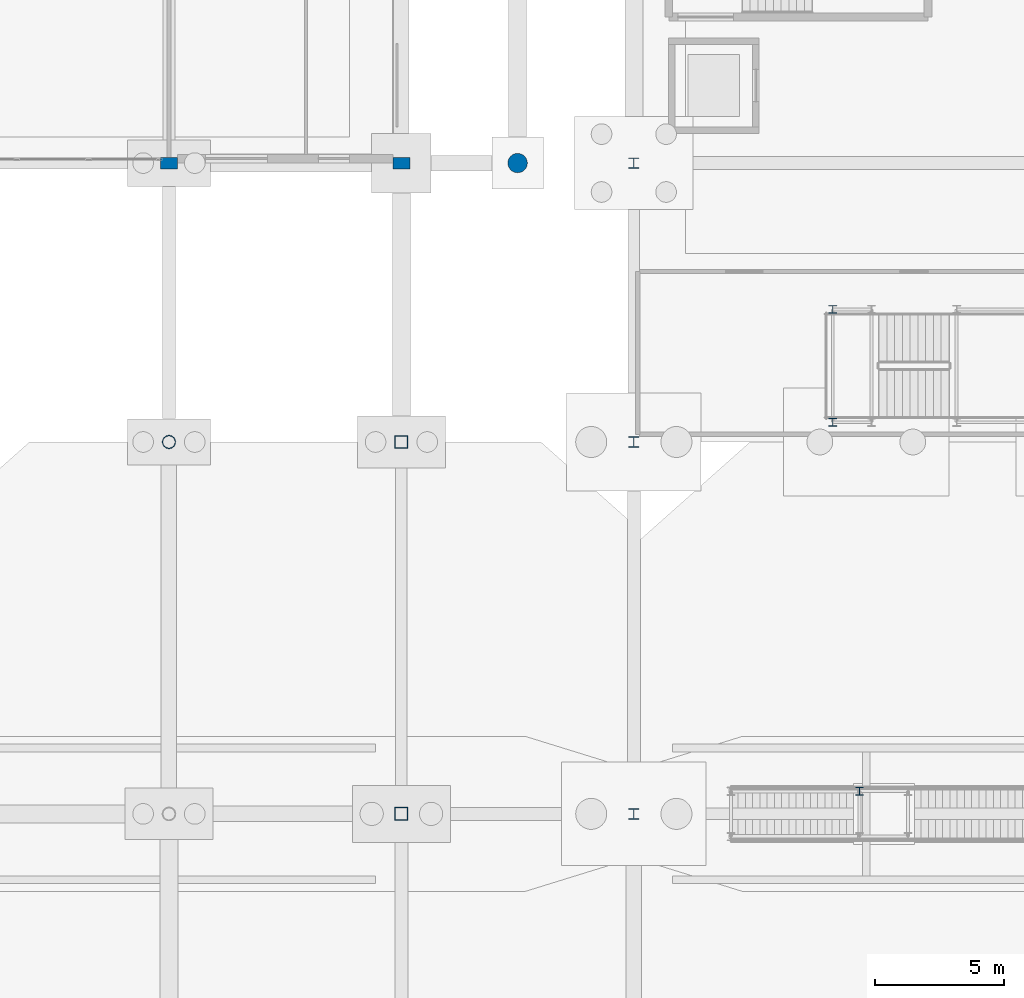
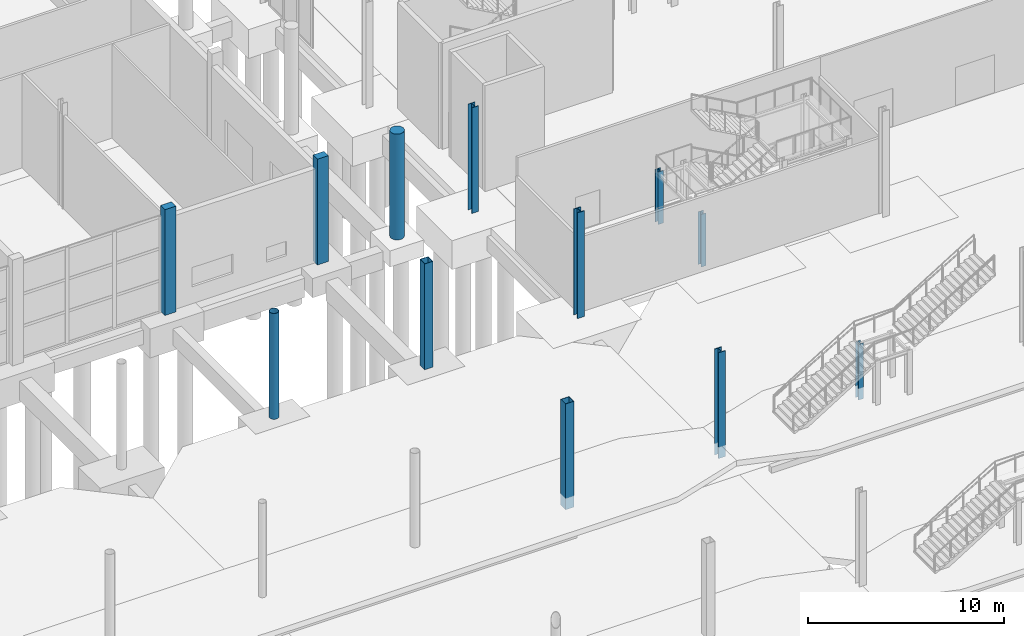
# One storey, part 18 of 115: 12 columns.
"""IFC4 building model written with IfcOpenShell, lengths in metres."""

from ifc_helpers import new_model, si_unit, direction, frame, origin, origin_2d, place, context, subcontext, project, spatial, rectangle, hollow_rectangle, circle, hollow_circle, i_section, extrude, material, material_profile, profile_set, type_object, element, save


model = new_model("IFC4")

# Units and contexts
model_context = context("Model", 3, precision=1e-05, world=origin(), true_north=direction((0.0, 1.0)))
body_context = subcontext(model_context, "Body", "Model", "MODEL_VIEW")
ifc_project = project(units=[si_unit("LENGTHUNIT", "METRE"), si_unit("AREAUNIT", "SQUARE_METRE"), si_unit("VOLUMEUNIT", "CUBIC_METRE"), si_unit("PLANEANGLEUNIT", "RADIAN"), si_unit("MASSUNIT", "GRAM", prefix="KILO")], contexts=[model_context])

# Site, building, storey
site_placement = place(None, origin())
site = spatial("IfcSite", under=ifc_project, at=site_placement, CompositionType="ELEMENT")
building_placement = place(site_placement, origin())
building = spatial("IfcBuilding", under=site, at=building_placement, Name="Tamarisk Ironworks Central Station", CompositionType="ELEMENT")
storey_placement = place(building_placement, origin())
storey = spatial("IfcBuildingStorey", under=building, at=storey_placement, Name="L00", CompositionType="ELEMENT", Elevation=0.0)

# Columns
ifc_material_1 = material(Name="Clay facing brickwork and mortar", Category="masonry")
ifc_material_profile_1 = material_profile(ifc_material_1, rectangle(XDim=0.64990234375, YDim=0.449951171875, at=origin_2d()), Name="PIL 650x450")
ifc_profile_set_1 = profile_set([ifc_material_profile_1], Name="Clay facing brickwork and mortar")
column_type_1 = type_object("IfcColumnType", Name="COL-PIL01", PredefinedType="PILASTER", material=ifc_profile_set_1)
for number, where, z_axis, x_axis, name in (
    (1, (36.0, 90.0, 0.0), (0.0, 0.0, 1.0), (1.0, 0.0, 0.0), "L00 column V4-05H"),
    (2, (45.0, 90.0, 0.0), (0.0, 0.0, 1.0), (1.0, 0.0, 0.0), "L00 column V4-06H"),
):
    element("IfcColumn", number, at=place(storey_placement, frame(where, z_axis=z_axis, x_axis=x_axis)), inside=storey, type_object=column_type_1, Name=name, PredefinedType="PILASTER", context=body_context, shape_type="SweptSolid", body=[
        extrude(rectangle(XDim=0.64990234375, YDim=0.449951171875, at=origin_2d()), origin(), (0.0, 0.0, 1.0), 6.60009765625),
    ])
ifc_material_2 = material(Name="Concrete C50/60", Category="concrete")
ifc_material_profile_2 = material_profile(ifc_material_2, circle(Radius=0.375, at=origin_2d()), Name="RC D750")
ifc_profile_set_2 = profile_set([ifc_material_profile_2], Name="Concrete C50/60")
column_type_2 = type_object("IfcColumnType", Name="COL-RC05", PredefinedType="COLUMN", material=ifc_profile_set_2)
column_1_placement = place(storey_placement, frame((49.5, 90.0, 0.0), z_axis=(0.0, 0.0, 1.0), x_axis=(1.0, 0.0, 0.0)))
element("IfcColumn", 3, at=column_1_placement, inside=storey, type_object=column_type_2, Name="L00 column CN-W1", PredefinedType="COLUMN", context=body_context, shape_type="SweptSolid", body=[
    extrude(circle(Radius=0.375, at=origin_2d()), origin(), (0.0, 0.0, 1.0), 6.60009765625),
])
ifc_material_3 = material(Name="Structural steel S355J2", Category="steel")
ifc_material_profile_3 = material_profile(ifc_material_3, i_section(OverallWidth=0.408935546875, OverallDepth=0.425048828125, WebThickness=0.02490234375, FlangeThickness=0.0390625, at=origin_2d()), Name="HD 400x421")
ifc_profile_set_3 = profile_set([ifc_material_profile_3], Name="Structural steel S355J2")
column_type_3 = type_object("IfcColumnType", Name="COL-S01", PredefinedType="COLUMN", material=ifc_profile_set_3)
for number, where, z_axis, x_axis, name in (
    (4, (54.0, 64.800048828125, 0.0), (0.0, 0.0, 1.0), (1.0, 0.0, 0.0), "L00 column V2-07F"),
    (5, (54.0, 79.199951171875, 0.0), (0.0, 0.0, 1.0), (1.0, 0.0, 0.0), "L00 column V2-07G"),
):
    element("IfcColumn", number, at=place(storey_placement, frame(where, z_axis=z_axis, x_axis=x_axis)), inside=storey, type_object=column_type_3, Name=name, PredefinedType="COLUMN", context=body_context, shape_type="SweptSolid", body=[
        extrude(i_section(OverallWidth=0.408935546875, OverallDepth=0.425048828125, WebThickness=0.02490234375, FlangeThickness=0.0390625, at=origin_2d()), origin(), (0.0, 0.0, 1.0), 6.60009765625),
    ])
ifc_material_profile_4 = material_profile(ifc_material_3, i_section(OverallWidth=0.404052734375, OverallDepth=0.406982421875, WebThickness=0.020751953125, FlangeThickness=0.031982421875, at=origin_2d()), Name="HD 400x347")
ifc_profile_set_4 = profile_set([ifc_material_profile_4], Name="Structural steel S355J2")
column_type_4 = type_object("IfcColumnType", Name="COL-S03", PredefinedType="COLUMN", material=ifc_profile_set_4)
column_2_placement = place(storey_placement, frame((54.0, 90.0, 0.0), z_axis=(0.0, 0.0, 1.0), x_axis=(1.0, 0.0, 0.0)))
element("IfcColumn", 6, at=column_2_placement, inside=storey, type_object=column_type_4, Name="L00 column V2-07H", PredefinedType="COLUMN", context=body_context, shape_type="SweptSolid", body=[
    extrude(i_section(OverallWidth=0.404052734375, OverallDepth=0.406982421875, WebThickness=0.020751953125, FlangeThickness=0.031982421875, at=origin_2d()), origin(), (0.0, 0.0, 1.0), 6.60009765625),
])
ifc_material_profile_5 = material_profile(ifc_material_3, i_section(OverallWidth=0.300048828125, OverallDepth=0.300048828125, WebThickness=0.010986328125, FlangeThickness=0.01904296875, at=origin_2d()), Name="HEB 300")
ifc_profile_set_5 = profile_set([ifc_material_profile_5], Name="Structural steel S355J2")
column_type_5 = type_object("IfcColumnType", Name="COL-S12", PredefinedType="COLUMN", material=ifc_profile_set_5)
for number, where, z_axis, x_axis, name in (
    (7, (61.699951171875, 79.965087890625, 0.0), (0.0, 0.0, 1.0), (1.0, 0.0, 0.0), "ST-TH1 landing support post Z1-1"),
    (8, (61.699951171875, 84.3349609375, 0.0), (0.0, 0.0, 1.0), (1.0, 0.0, 0.0), "ST-TH1 landing support post Z1-3"),
):
    element("IfcColumn", number, at=place(storey_placement, frame(where, z_axis=z_axis, x_axis=x_axis)), inside=storey, type_object=column_type_5, Name=name, PredefinedType="COLUMN", context=body_context, shape_type="SweptSolid", body=[
        extrude(i_section(OverallWidth=0.300048828125, OverallDepth=0.300048828125, WebThickness=0.010986328125, FlangeThickness=0.01904296875, at=origin_2d()), origin(), (0.0, 0.0, 1.0), 3.280029296875),
    ])
column_3_placement = place(storey_placement, frame((62.739990234375, 65.679931640625, 0.0), z_axis=(0.0, 0.0, 1.0), x_axis=(1.0, 0.0, 0.0)))
element("IfcColumn", 9, at=column_3_placement, inside=storey, type_object=column_type_5, Name="ST-P4A mid-landing support column 3", PredefinedType="COLUMN", context=body_context, shape_type="SweptSolid", body=[
    extrude(i_section(OverallWidth=0.300048828125, OverallDepth=0.300048828125, WebThickness=0.010986328125, FlangeThickness=0.01904296875, at=origin_2d()), origin(), (0.0, 0.0, 1.0), 3.469970703125),
])
ifc_material_4 = material(Name="Structural steel S355J2H", Category="steel")
ifc_material_profile_6 = material_profile(ifc_material_4, hollow_rectangle(XDim=0.5, YDim=0.5, WallThickness=0.02001953125, at=origin_2d()), Name="SHS 500x500x20")
ifc_profile_set_6 = profile_set([ifc_material_profile_6], Name="Structural steel S355J2H")
column_type_6 = type_object("IfcColumnType", Name="COL-S13", PredefinedType="COLUMN", material=ifc_profile_set_6)
for number, where, z_axis, x_axis, name in (
    (10, (45.0, 64.800048828125, 0.0), (0.0, 0.0, 1.0), (1.0, 0.0, 0.0), "L00 column V1-06F"),
    (11, (45.0, 79.199951171875, 0.0), (0.0, 0.0, 1.0), (1.0, 0.0, 0.0), "L00 column V1-06G"),
):
    element("IfcColumn", number, at=place(storey_placement, frame(where, z_axis=z_axis, x_axis=x_axis)), inside=storey, type_object=column_type_6, Name=name, PredefinedType="COLUMN", context=body_context, shape_type="SweptSolid", body=[
        extrude(hollow_rectangle(XDim=0.5, YDim=0.5, WallThickness=0.02001953125, at=origin_2d()), origin(), (0.0, 0.0, 1.0), 6.60009765625),
    ])
ifc_material_profile_7 = material_profile(ifc_material_4, hollow_circle(Radius=0.25390625, WallThickness=0.01611328125, at=origin_2d()), Name="CHS 508x16")
ifc_profile_set_7 = profile_set([ifc_material_profile_7], Name="Structural steel S355J2H")
column_type_7 = type_object("IfcColumnType", Name="COL-S16", PredefinedType="COLUMN", material=ifc_profile_set_7)
column_4_placement = place(storey_placement, frame((36.0, 79.199951171875, 0.0), z_axis=(0.0, 0.0, 1.0), x_axis=(1.0, 0.0, 0.0)))
element("IfcColumn", 12, at=column_4_placement, inside=storey, type_object=column_type_7, Name="L00 column V1-05G", PredefinedType="COLUMN", context=body_context, shape_type="SweptSolid", body=[
    extrude(hollow_circle(Radius=0.25390625, WallThickness=0.01611328125, at=origin_2d()), origin(), (0.0, 0.0, 1.0), 6.60009765625),
])

save(model, "model.ifc")
